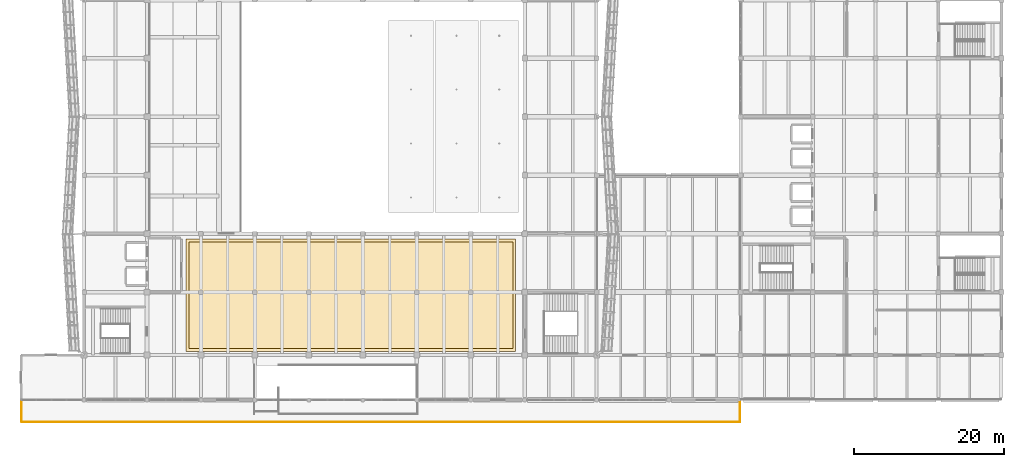
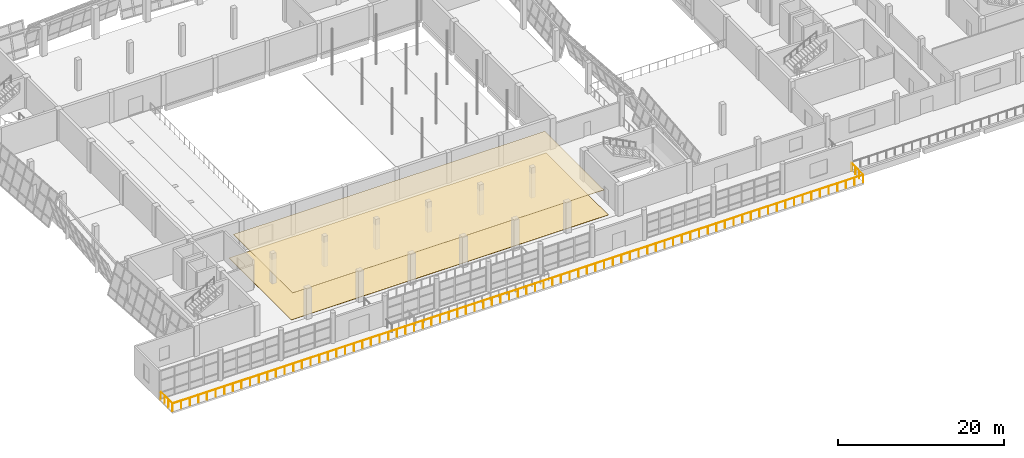
# One storey, part 64 of 71: 2 coverings, 1 railing.
"""IFC4 building model written with IfcOpenShell, lengths in metres."""

import ifcopenshell
import ifcopenshell.guid

model = None  # the IFC model being written
_history = None  # IfcOwnerHistory: only IFC2X3 demands one
_inside = {}  # id of a spatial element -> (the spatial element, [elements in it])
_under = {}  # id of a project, library or spatial element -> (it, [spatial elements below it])
_declared = {}  # id of a project -> (the project, [libraries it declares])
_typed = {}  # id of a type object -> (the type object, [elements of that type])
_made_of = {}  # id of a material, layer set ... -> (it, [elements and type objects made of it])


def new_model(schema):
    """Start an empty IFC model of exactly this schema.

    Asked for "IFC4X3", IfcOpenShell would pick the latest addendum, in which some entities
    have other attributes; the version numbers below select the first issue.
    IFC2X3 requires an IfcOwnerHistory on every rooted entity: one is made here for all.
    """
    global model, _history
    if schema == "IFC4X3":
        model = ifcopenshell.file(schema_version=(4, 3, 0, 0))
    else:
        model = ifcopenshell.file(schema=schema)
    _inside.clear()
    _under.clear()
    _declared.clear()
    _typed.clear()
    _made_of.clear()
    _history = None
    if model.schema == "IFC2X3":
        org = make("IfcOrganization", Name="unknown")
        user = make(
            "IfcPersonAndOrganization",
            ThePerson=make("IfcPerson", FamilyName="unknown"),
            TheOrganization=org,
        )
        app = make(
            "IfcApplication",
            ApplicationDeveloper=org,
            Version="unknown",
            ApplicationFullName="unknown",
            ApplicationIdentifier="unknown",
        )
        _history = make(
            "IfcOwnerHistory",
            OwningUser=user,
            OwningApplication=app,
            ChangeAction="ADDED",
            CreationDate=0,
        )
    return model


def make(cls, **values):
    """One entity of the class cls with the attributes given. An attribute that is None is left unset."""
    return model.create_entity(
        cls, **{name: value for name, value in values.items() if value is not None}
    )


def rooted(cls, **values):
    """An entity with a GlobalId (a new one), such as an element, a storey or a relation."""
    return make(cls, GlobalId=ifcopenshell.guid.new(), OwnerHistory=_history, **values)


def si_unit(unit_type, name, prefix=None):
    """IfcSIUnit, for example si_unit("LENGTHUNIT", "METRE", prefix="MILLI")."""
    return make("IfcSIUnit", UnitType=unit_type, Prefix=prefix, Name=name)


def assignment(units):
    """IfcUnitAssignment: the units of a project."""
    return None if units is None else make("IfcUnitAssignment", Units=units)


def point(xyz):
    """IfcCartesianPoint."""
    return None if xyz is None else make("IfcCartesianPoint", Coordinates=xyz)


def direction(xyz):
    """IfcDirection."""
    return None if xyz is None else make("IfcDirection", DirectionRatios=xyz)


def frame(location, z_axis=None, x_axis=None):
    """IfcAxis2Placement3D, a coordinate frame: its origin and axes. An axis left out is left unset."""
    return make(
        "IfcAxis2Placement3D",
        Location=point(location),
        Axis=direction(z_axis),
        RefDirection=direction(x_axis),
    )


def frame_2d(location, x_axis=None):
    """IfcAxis2Placement2D, a coordinate frame in the plane: its origin and x axis."""
    return make(
        "IfcAxis2Placement2D", Location=point(location), RefDirection=direction(x_axis)
    )


def origin():
    """The frame at (0, 0, 0) with its axes left unset."""
    return frame((0.0, 0.0, 0.0))


def origin_2d():
    """The frame at (0, 0) in the plane with its x axis left unset."""
    return frame_2d((0.0, 0.0))


def place(relative_to, where):
    """IfcLocalPlacement: puts the frame where relative to a parent placement (None: the world)."""
    return make(
        "IfcLocalPlacement", PlacementRelTo=relative_to, RelativePlacement=where
    )


def context(
    kind, dimensions, precision=None, world=None, true_north=None, identifier=None
):
    """IfcGeometricRepresentationContext, for example the 3D "Model" context."""
    return make(
        "IfcGeometricRepresentationContext",
        ContextIdentifier=identifier,
        ContextType=kind,
        CoordinateSpaceDimension=dimensions,
        Precision=precision,
        WorldCoordinateSystem=world,
        TrueNorth=true_north,
    )


def subcontext(parent, identifier, kind, view, scale=None):
    """IfcGeometricRepresentationSubContext, for example "Body" below "Model"."""
    return make(
        "IfcGeometricRepresentationSubContext",
        ContextIdentifier=identifier,
        ContextType=kind,
        ParentContext=parent,
        TargetScale=scale,
        TargetView=view,
    )


def project(units=None, contexts=None):
    """IfcProject with its units and contexts."""
    return rooted(
        "IfcProject",
        Name="project",
        RepresentationContexts=contexts,
        UnitsInContext=assignment(units),
    )


def spatial(cls, under=None, at=None, **own):
    """A site, building, storey or space (cls), placed at a placement, below another one or the project."""
    s = rooted(cls, ObjectPlacement=at, **own)
    if under is not None:
        _under.setdefault(under.id(), (under, []))[1].append(s)
    return s


def polyline(points):
    """IfcPolyline through the points."""
    return make("IfcPolyline", Points=[point(p) for p in points])


def profile(cls, at=None, kind="AREA", **sizes):
    """A parametric profile (cls). Its sizes go by their IFC names, for example OverallWidth=200.0."""
    return make(cls, ProfileType=kind, Position=at, **sizes)


def circle(**sizes):
    """IfcCircleProfileDef."""
    return profile("IfcCircleProfileDef", **sizes)


def outline(outer, holes=None, kind="AREA"):
    """IfcArbitraryClosedProfileDef: a profile drawn as a closed curve; with holes, ...WithVoids."""
    if holes is None:
        return make("IfcArbitraryClosedProfileDef", ProfileType=kind, OuterCurve=outer)
    return make(
        "IfcArbitraryProfileDefWithVoids",
        ProfileType=kind,
        OuterCurve=outer,
        InnerCurves=holes,
    )


def extrude(swept, where, along, depth):
    """IfcExtrudedAreaSolid: the profile swept, set in the frame where, extruded along a direction by depth."""
    return make(
        "IfcExtrudedAreaSolid",
        SweptArea=swept,
        Position=where,
        ExtrudedDirection=direction(along),
        Depth=depth,
    )


def shape(context_of_items, identifier, shape_type, items):
    """IfcShapeRepresentation: the items that make up one representation, for example the "Body"."""
    return make(
        "IfcShapeRepresentation",
        ContextOfItems=context_of_items,
        RepresentationIdentifier=identifier,
        RepresentationType=shape_type,
        Items=items,
    )


def material(Name=None, Category=None):
    """IfcMaterial."""
    return make("IfcMaterial", Name=Name, Category=Category)


def layer(
    of_material, thickness, ventilated=None, Name=None, Category=None, Priority=None
):
    """IfcMaterialLayer: one layer of a wall or slab, of a material (None: an air gap)."""
    return make(
        "IfcMaterialLayer",
        Material=of_material,
        LayerThickness=thickness,
        IsVentilated=ventilated,
        Name=Name,
        Category=Category,
        Priority=Priority,
    )


def layer_set(layers, Name=None):
    """IfcMaterialLayerSet."""
    return make("IfcMaterialLayerSet", MaterialLayers=layers, LayerSetName=Name)


def made_of(thing, what):
    """Note that an element or type object is made of a material, layer set ...; save() writes the relation."""
    if what is not None:
        _made_of.setdefault(what.id(), (what, []))[1].append(thing)
    return thing


def type_object(cls, material=None, **own):
    """A type object (cls), such as IfcWallType, which elements share."""
    return made_of(rooted(cls, **own), material)


def element(
    cls,
    number,
    at=None,
    inside=None,
    cuts=None,
    type_object=None,
    material=None,
    context=None,
    identifier="Body",
    shape_type=None,
    held_by="IfcProductDefinitionShape",
    body=None,
    shapes=None,
    **own,
):
    """One element of the class cls, such as IfcWall. Its Tag is "e" and its number.

    at: its placement. inside: the storey or other place that contains it. cuts: it is an
    opening in that element (IfcRelVoidsElement). A single representation is given by context,
    identifier, shape_type and body (its items); several are given by shapes. held_by: the class
    of the entity that holds the representations. save() writes the other relations.
    """
    e = rooted(cls, Tag="e%d" % number, ObjectPlacement=at, **own)
    if body is not None:
        shapes = [shape(context, identifier, shape_type, body)]
    if shapes is not None:
        e.Representation = make(held_by, Representations=shapes)
    if inside is not None:
        _inside.setdefault(inside.id(), (inside, []))[1].append(e)
    if cuts is not None:
        rooted(
            "IfcRelVoidsElement", RelatingBuildingElement=cuts, RelatedOpeningElement=e
        )
    if type_object is not None:
        _typed.setdefault(type_object.id(), (type_object, []))[1].append(e)
    return made_of(e, material)


def aggregate(whole, parts):
    """IfcRelAggregates: a whole, such as a stair, and the parts it consists of."""
    return rooted("IfcRelAggregates", RelatingObject=whole, RelatedObjects=parts)


def save(model, path):
    """Write the relations noted so far, then the file.

    IfcRelAggregates (storeys below a building ...), IfcRelContainedInSpatialStructure (elements
    in a storey), IfcRelDefinesByType, IfcRelAssociatesMaterial and IfcRelDeclares: one each for
    every whole, place, type object, material and project.
    """
    for whole, parts in _under.values():
        aggregate(whole, parts)
    for where, things in _inside.values():
        rooted(
            "IfcRelContainedInSpatialStructure",
            RelatedElements=things,
            RelatingStructure=where,
        )
    for kind, things in _typed.values():
        rooted("IfcRelDefinesByType", RelatedObjects=things, RelatingType=kind)
    for what, things in _made_of.values():
        rooted("IfcRelAssociatesMaterial", RelatedObjects=things, RelatingMaterial=what)
    for by, libraries in _declared.values():
        rooted("IfcRelDeclares", RelatingContext=by, RelatedDefinitions=libraries)
    model.write(path)


model = new_model("IFC4")

# Units and contexts
model_context = context("Model", 3, precision=1e-05, world=origin(), true_north=direction((0.0, 1.0)))
body_context = subcontext(model_context, "Body", "Model", "MODEL_VIEW")
ifc_project = project(units=[si_unit("LENGTHUNIT", "METRE"), si_unit("AREAUNIT", "SQUARE_METRE"), si_unit("VOLUMEUNIT", "CUBIC_METRE"), si_unit("PLANEANGLEUNIT", "RADIAN"), si_unit("MASSUNIT", "GRAM", prefix="KILO")], contexts=[model_context])

# Site, building, storey
site_placement = place(None, origin())
site = spatial("IfcSite", under=ifc_project, at=site_placement, CompositionType="ELEMENT")
building_placement = place(site_placement, origin())
building = spatial("IfcBuilding", under=site, at=building_placement, Name="Pellamere Symphony Hall", CompositionType="ELEMENT")
storey_placement = place(building_placement, frame((0.0, 0.0, 15.0)))
storey = spatial("IfcBuildingStorey", under=building, at=storey_placement, Name="L03", CompositionType="ELEMENT", Elevation=15.0)

# Railing
ifc_material_1 = material(Name="Laminated Safety Glass 21.5mm with Stainless Cap", Category="glass")
railing_type = type_object("IfcRailingType", Name="Guardrail GR-03 H1180 Laminated", PredefinedType="GUARDRAIL", material=ifc_material_1)
railing_placement = place(storey_placement, frame((42.080078125, 23.919921875, 0.0)))
element("IfcRailing", 1, at=railing_placement, inside=storey, type_object=railing_type, Name="Safety Guardrail GR-TER-L03-V4", PredefinedType="GUARDRAIL", context=body_context, shape_type="SweptSolid", body=[
    extrude(circle(Radius=0.02392578125, at=origin_2d()), frame((0.0, 0.0, 1.15576171875), z_axis=(0.0, -1.0, 0.0), x_axis=(1.0, 0.0, 0.0)), (0.0, 0.0, 1.0), 2.83984375),
    extrude(circle(Radius=0.02392578125, at=origin_2d()), frame((0.0, -2.83984375, 1.15576171875), z_axis=(1.0, 0.0, 0.0), x_axis=(0.0, 1.0, 0.0)), (0.0, 0.0, 1.0), 95.83984375),
    extrude(circle(Radius=0.02392578125, at=origin_2d()), frame((95.83984375, -2.83984375, 1.15576171875), z_axis=(0.0, 1.0, 0.0), x_axis=(-1.0, 0.0, 0.0)), (0.0, 0.0, 1.0), 2.83984375),
    extrude(circle(Radius=0.02099609375, at=origin_2d()), origin(), (0.0, 0.0, 1.0), 1.1318359375),
    extrude(circle(Radius=0.02099609375, at=origin_2d()), frame((0.0, -0.946533203125, 0.0)), (0.0, 0.0, 1.0), 1.1318359375),
    extrude(circle(Radius=0.02099609375, at=origin_2d()), frame((0.0, -1.893310546875, 0.0)), (0.0, 0.0, 1.0), 1.1318359375),
    extrude(circle(Radius=0.02099609375, at=origin_2d()), frame((0.0, -2.83984375, 0.0)), (0.0, 0.0, 1.0), 1.1318359375),
    extrude(circle(Radius=0.02099609375, at=origin_2d()), frame((1.197998046875, -2.83984375, 0.0)), (0.0, 0.0, 1.0), 1.1318359375),
    extrude(circle(Radius=0.02099609375, at=origin_2d()), frame((2.39599609375, -2.83984375, 0.0)), (0.0, 0.0, 1.0), 1.1318359375),
    extrude(circle(Radius=0.02099609375, at=origin_2d()), frame((3.593994140625, -2.83984375, 0.0)), (0.0, 0.0, 1.0), 1.1318359375),
    extrude(circle(Radius=0.02099609375, at=origin_2d()), frame((4.7919921875, -2.83984375, 0.0)), (0.0, 0.0, 1.0), 1.1318359375),
    extrude(circle(Radius=0.02099609375, at=origin_2d()), frame((5.989990234375, -2.83984375, 0.0)), (0.0, 0.0, 1.0), 1.1318359375),
    extrude(circle(Radius=0.02099609375, at=origin_2d()), frame((7.18798828125, -2.83984375, 0.0)), (0.0, 0.0, 1.0), 1.1318359375),
    extrude(circle(Radius=0.02099609375, at=origin_2d()), frame((8.385986328125, -2.83984375, 0.0)), (0.0, 0.0, 1.0), 1.1318359375),
    extrude(circle(Radius=0.02099609375, at=origin_2d()), frame((9.583984375, -2.83984375, 0.0)), (0.0, 0.0, 1.0), 1.1318359375),
    extrude(circle(Radius=0.02099609375, at=origin_2d()), frame((10.781982421875, -2.83984375, 0.0)), (0.0, 0.0, 1.0), 1.1318359375),
    extrude(circle(Radius=0.02099609375, at=origin_2d()), frame((11.97998046875, -2.83984375, 0.0)), (0.0, 0.0, 1.0), 1.1318359375),
    extrude(circle(Radius=0.02099609375, at=origin_2d()), frame((13.177978515625, -2.83984375, 0.0)), (0.0, 0.0, 1.0), 1.1318359375),
    extrude(circle(Radius=0.02099609375, at=origin_2d()), frame((14.3759765625, -2.83984375, 0.0)), (0.0, 0.0, 1.0), 1.1318359375),
    extrude(circle(Radius=0.02099609375, at=origin_2d()), frame((15.573974609375, -2.83984375, 0.0)), (0.0, 0.0, 1.0), 1.1318359375),
    extrude(circle(Radius=0.02099609375, at=origin_2d()), frame((16.77197265625, -2.83984375, 0.0)), (0.0, 0.0, 1.0), 1.1318359375),
    extrude(circle(Radius=0.02099609375, at=origin_2d()), frame((17.969970703125, -2.83984375, 0.0)), (0.0, 0.0, 1.0), 1.1318359375),
    extrude(circle(Radius=0.02099609375, at=origin_2d()), frame((19.16796875, -2.83984375, 0.0)), (0.0, 0.0, 1.0), 1.1318359375),
    extrude(circle(Radius=0.02099609375, at=origin_2d()), frame((20.365966796875, -2.83984375, 0.0)), (0.0, 0.0, 1.0), 1.1318359375),
    extrude(circle(Radius=0.02099609375, at=origin_2d()), frame((21.56396484375, -2.83984375, 0.0)), (0.0, 0.0, 1.0), 1.1318359375),
    extrude(circle(Radius=0.02099609375, at=origin_2d()), frame((22.761962890625, -2.83984375, 0.0)), (0.0, 0.0, 1.0), 1.1318359375),
    extrude(circle(Radius=0.02099609375, at=origin_2d()), frame((23.9599609375, -2.83984375, 0.0)), (0.0, 0.0, 1.0), 1.1318359375),
    extrude(circle(Radius=0.02099609375, at=origin_2d()), frame((25.157958984375, -2.83984375, 0.0)), (0.0, 0.0, 1.0), 1.1318359375),
    extrude(circle(Radius=0.02099609375, at=origin_2d()), frame((26.35595703125, -2.83984375, 0.0)), (0.0, 0.0, 1.0), 1.1318359375),
    extrude(circle(Radius=0.02099609375, at=origin_2d()), frame((27.553955078125, -2.83984375, 0.0)), (0.0, 0.0, 1.0), 1.1318359375),
    extrude(circle(Radius=0.02099609375, at=origin_2d()), frame((28.751953125, -2.83984375, 0.0)), (0.0, 0.0, 1.0), 1.1318359375),
    extrude(circle(Radius=0.02099609375, at=origin_2d()), frame((29.949951171875, -2.83984375, 0.0)), (0.0, 0.0, 1.0), 1.1318359375),
    extrude(circle(Radius=0.02099609375, at=origin_2d()), frame((31.14794921875, -2.83984375, 0.0)), (0.0, 0.0, 1.0), 1.1318359375),
    extrude(circle(Radius=0.02099609375, at=origin_2d()), frame((32.345947265625, -2.83984375, 0.0)), (0.0, 0.0, 1.0), 1.1318359375),
    extrude(circle(Radius=0.02099609375, at=origin_2d()), frame((33.5439453125, -2.83984375, 0.0)), (0.0, 0.0, 1.0), 1.1318359375),
    extrude(circle(Radius=0.02099609375, at=origin_2d()), frame((34.741943359375, -2.83984375, 0.0)), (0.0, 0.0, 1.0), 1.1318359375),
    extrude(circle(Radius=0.02099609375, at=origin_2d()), frame((35.93994140625, -2.83984375, 0.0)), (0.0, 0.0, 1.0), 1.1318359375),
    extrude(circle(Radius=0.02099609375, at=origin_2d()), frame((37.137939453125, -2.83984375, 0.0)), (0.0, 0.0, 1.0), 1.1318359375),
    extrude(circle(Radius=0.02099609375, at=origin_2d()), frame((38.3359375, -2.83984375, 0.0)), (0.0, 0.0, 1.0), 1.1318359375),
    extrude(circle(Radius=0.02099609375, at=origin_2d()), frame((39.533935546875, -2.83984375, 0.0)), (0.0, 0.0, 1.0), 1.1318359375),
    extrude(circle(Radius=0.02099609375, at=origin_2d()), frame((40.73193359375, -2.83984375, 0.0)), (0.0, 0.0, 1.0), 1.1318359375),
    extrude(circle(Radius=0.02099609375, at=origin_2d()), frame((41.929931640625, -2.83984375, 0.0)), (0.0, 0.0, 1.0), 1.1318359375),
    extrude(circle(Radius=0.02099609375, at=origin_2d()), frame((43.1279296875, -2.83984375, 0.0)), (0.0, 0.0, 1.0), 1.1318359375),
    extrude(circle(Radius=0.02099609375, at=origin_2d()), frame((44.325927734375, -2.83984375, 0.0)), (0.0, 0.0, 1.0), 1.1318359375),
    extrude(circle(Radius=0.02099609375, at=origin_2d()), frame((45.52392578125, -2.83984375, 0.0)), (0.0, 0.0, 1.0), 1.1318359375),
    extrude(circle(Radius=0.02099609375, at=origin_2d()), frame((46.721923828125, -2.83984375, 0.0)), (0.0, 0.0, 1.0), 1.1318359375),
    extrude(circle(Radius=0.02099609375, at=origin_2d()), frame((47.919921875, -2.83984375, 0.0)), (0.0, 0.0, 1.0), 1.1318359375),
    extrude(circle(Radius=0.02099609375, at=origin_2d()), frame((49.117919921875, -2.83984375, 0.0)), (0.0, 0.0, 1.0), 1.1318359375),
    extrude(circle(Radius=0.02099609375, at=origin_2d()), frame((50.31591796875, -2.83984375, 0.0)), (0.0, 0.0, 1.0), 1.1318359375),
    extrude(circle(Radius=0.02099609375, at=origin_2d()), frame((51.513916015625, -2.83984375, 0.0)), (0.0, 0.0, 1.0), 1.1318359375),
    extrude(circle(Radius=0.02099609375, at=origin_2d()), frame((52.7119140625, -2.83984375, 0.0)), (0.0, 0.0, 1.0), 1.1318359375),
    extrude(circle(Radius=0.02099609375, at=origin_2d()), frame((53.909912109375, -2.83984375, 0.0)), (0.0, 0.0, 1.0), 1.1318359375),
    extrude(circle(Radius=0.02099609375, at=origin_2d()), frame((55.10791015625, -2.83984375, 0.0)), (0.0, 0.0, 1.0), 1.1318359375),
    extrude(circle(Radius=0.02099609375, at=origin_2d()), frame((56.305908203125, -2.83984375, 0.0)), (0.0, 0.0, 1.0), 1.1318359375),
    extrude(circle(Radius=0.02099609375, at=origin_2d()), frame((57.50390625, -2.83984375, 0.0)), (0.0, 0.0, 1.0), 1.1318359375),
    extrude(circle(Radius=0.02099609375, at=origin_2d()), frame((58.701904296875, -2.83984375, 0.0)), (0.0, 0.0, 1.0), 1.1318359375),
    extrude(circle(Radius=0.02099609375, at=origin_2d()), frame((59.89990234375, -2.83984375, 0.0)), (0.0, 0.0, 1.0), 1.1318359375),
    extrude(circle(Radius=0.02099609375, at=origin_2d()), frame((61.097900390625, -2.83984375, 0.0)), (0.0, 0.0, 1.0), 1.1318359375),
    extrude(circle(Radius=0.02099609375, at=origin_2d()), frame((62.2958984375, -2.83984375, 0.0)), (0.0, 0.0, 1.0), 1.1318359375),
    extrude(circle(Radius=0.02099609375, at=origin_2d()), frame((63.493896484375, -2.83984375, 0.0)), (0.0, 0.0, 1.0), 1.1318359375),
    extrude(circle(Radius=0.02099609375, at=origin_2d()), frame((64.69189453125, -2.83984375, 0.0)), (0.0, 0.0, 1.0), 1.1318359375),
    extrude(circle(Radius=0.02099609375, at=origin_2d()), frame((65.889892578125, -2.83984375, 0.0)), (0.0, 0.0, 1.0), 1.1318359375),
    extrude(circle(Radius=0.02099609375, at=origin_2d()), frame((67.087890625, -2.83984375, 0.0)), (0.0, 0.0, 1.0), 1.1318359375),
    extrude(circle(Radius=0.02099609375, at=origin_2d()), frame((68.285888671875, -2.83984375, 0.0)), (0.0, 0.0, 1.0), 1.1318359375),
    extrude(circle(Radius=0.02099609375, at=origin_2d()), frame((69.48388671875, -2.83984375, 0.0)), (0.0, 0.0, 1.0), 1.1318359375),
    extrude(circle(Radius=0.02099609375, at=origin_2d()), frame((70.681884765625, -2.83984375, 0.0)), (0.0, 0.0, 1.0), 1.1318359375),
    extrude(circle(Radius=0.02099609375, at=origin_2d()), frame((71.8798828125, -2.83984375, 0.0)), (0.0, 0.0, 1.0), 1.1318359375),
    extrude(circle(Radius=0.02099609375, at=origin_2d()), frame((73.077880859375, -2.83984375, 0.0)), (0.0, 0.0, 1.0), 1.1318359375),
    extrude(circle(Radius=0.02099609375, at=origin_2d()), frame((74.27587890625, -2.83984375, 0.0)), (0.0, 0.0, 1.0), 1.1318359375),
    extrude(circle(Radius=0.02099609375, at=origin_2d()), frame((75.473876953125, -2.83984375, 0.0)), (0.0, 0.0, 1.0), 1.1318359375),
    extrude(circle(Radius=0.02099609375, at=origin_2d()), frame((76.671875, -2.83984375, 0.0)), (0.0, 0.0, 1.0), 1.1318359375),
    extrude(circle(Radius=0.02099609375, at=origin_2d()), frame((77.869873046875, -2.83984375, 0.0)), (0.0, 0.0, 1.0), 1.1318359375),
    extrude(circle(Radius=0.02099609375, at=origin_2d()), frame((79.06787109375, -2.83984375, 0.0)), (0.0, 0.0, 1.0), 1.1318359375),
    extrude(circle(Radius=0.02099609375, at=origin_2d()), frame((80.265869140625, -2.83984375, 0.0)), (0.0, 0.0, 1.0), 1.1318359375),
    extrude(circle(Radius=0.02099609375, at=origin_2d()), frame((81.4638671875, -2.83984375, 0.0)), (0.0, 0.0, 1.0), 1.1318359375),
    extrude(circle(Radius=0.02099609375, at=origin_2d()), frame((82.661865234375, -2.83984375, 0.0)), (0.0, 0.0, 1.0), 1.1318359375),
    extrude(circle(Radius=0.02099609375, at=origin_2d()), frame((83.85986328125, -2.83984375, 0.0)), (0.0, 0.0, 1.0), 1.1318359375),
    extrude(circle(Radius=0.02099609375, at=origin_2d()), frame((85.057861328125, -2.83984375, 0.0)), (0.0, 0.0, 1.0), 1.1318359375),
    extrude(circle(Radius=0.02099609375, at=origin_2d()), frame((86.255859375, -2.83984375, 0.0)), (0.0, 0.0, 1.0), 1.1318359375),
    extrude(circle(Radius=0.02099609375, at=origin_2d()), frame((87.453857421875, -2.83984375, 0.0)), (0.0, 0.0, 1.0), 1.1318359375),
    extrude(circle(Radius=0.02099609375, at=origin_2d()), frame((88.65185546875, -2.83984375, 0.0)), (0.0, 0.0, 1.0), 1.1318359375),
    extrude(circle(Radius=0.02099609375, at=origin_2d()), frame((89.849853515625, -2.83984375, 0.0)), (0.0, 0.0, 1.0), 1.1318359375),
    extrude(circle(Radius=0.02099609375, at=origin_2d()), frame((91.0478515625, -2.83984375, 0.0)), (0.0, 0.0, 1.0), 1.1318359375),
    extrude(circle(Radius=0.02099609375, at=origin_2d()), frame((92.245849609375, -2.83984375, 0.0)), (0.0, 0.0, 1.0), 1.1318359375),
    extrude(circle(Radius=0.02099609375, at=origin_2d()), frame((93.44384765625, -2.83984375, 0.0)), (0.0, 0.0, 1.0), 1.1318359375),
    extrude(circle(Radius=0.02099609375, at=origin_2d()), frame((94.641845703125, -2.83984375, 0.0)), (0.0, 0.0, 1.0), 1.1318359375),
    extrude(circle(Radius=0.02099609375, at=origin_2d()), frame((95.83984375, -2.83984375, 0.0)), (0.0, 0.0, 1.0), 1.1318359375),
    extrude(circle(Radius=0.02099609375, at=origin_2d()), frame((95.83984375, -1.893310546875, 0.0)), (0.0, 0.0, 1.0), 1.1318359375),
    extrude(circle(Radius=0.02099609375, at=origin_2d()), frame((95.83984375, -0.946533203125, 0.0)), (0.0, 0.0, 1.0), 1.1318359375),
    extrude(circle(Radius=0.02099609375, at=origin_2d()), frame((95.83984375, 0.0, 0.0)), (0.0, 0.0, 1.0), 1.1318359375),
])

# Coverings
ifc_material_2 = material(Name="Mineral-Fibre Choir Foyer Acoustic Suspended Ceiling", Category="gypsum")
ifc_layer_1 = layer(ifc_material_2, 0.050048828125, Name="Mineral-Fibre Choir Foyer Acoustic Suspended Ceiling")
ifc_layer_set_1 = layer_set([ifc_layer_1], Name="Mineral-Fibre Choir Foyer Acoustic Suspended Ceiling")
covering_type_1 = type_object("IfcCoveringType", Name="Interior Covering AC-05 50mm", PredefinedType="CEILING", material=ifc_layer_set_1)
covering_1_placement = place(storey_placement, frame((0.0, 0.0, 3.550048828125)))
element("IfcCovering", 2, at=covering_1_placement, inside=storey, type_object=covering_type_1, Name="Acoustic Foyer Suspended Ceiling 5 (L03)", PredefinedType="CEILING", context=body_context, shape_type="SweptSolid", body=[
    extrude(outline(polyline([(64.39990234375, 30.89990234375), (107.60009765625, 30.89990234375), (107.60009765625, 45.10009765625), (64.39990234375, 45.10009765625), (64.39990234375, 30.89990234375)])), origin(), (0.0, 0.0, 1.0), 0.050048828125),
])
ifc_material_3 = material(Name="Honed Dolomitic Limestone Foyer Terrazzo Flooring", Category="masonry")
ifc_layer_2 = layer(ifc_material_3, 0.034912109375, Name="Honed Dolomitic Limestone Foyer Terrazzo Flooring")
ifc_layer_set_2 = layer_set([ifc_layer_2], Name="Honed Dolomitic Limestone Foyer Terrazzo Flooring")
covering_type_2 = type_object("IfcCoveringType", Name="Interior Covering FL-02 35mm", PredefinedType="FLOORING", material=ifc_layer_set_2)
covering_2_placement = place(storey_placement, origin())
element("IfcCovering", 3, at=covering_2_placement, inside=storey, type_object=covering_type_2, Name="Foyer Honed Limestone Terrazzo Flooring 5", PredefinedType="FLOORING", context=body_context, shape_type="SweptSolid", body=[
    extrude(outline(polyline([(64.0, 30.5), (108.0, 30.5), (108.0, 45.5), (64.0, 45.5), (64.0, 30.5)])), origin(), (0.0, 0.0, 1.0), 0.034912109375),
])

save(model, "model.ifc")
